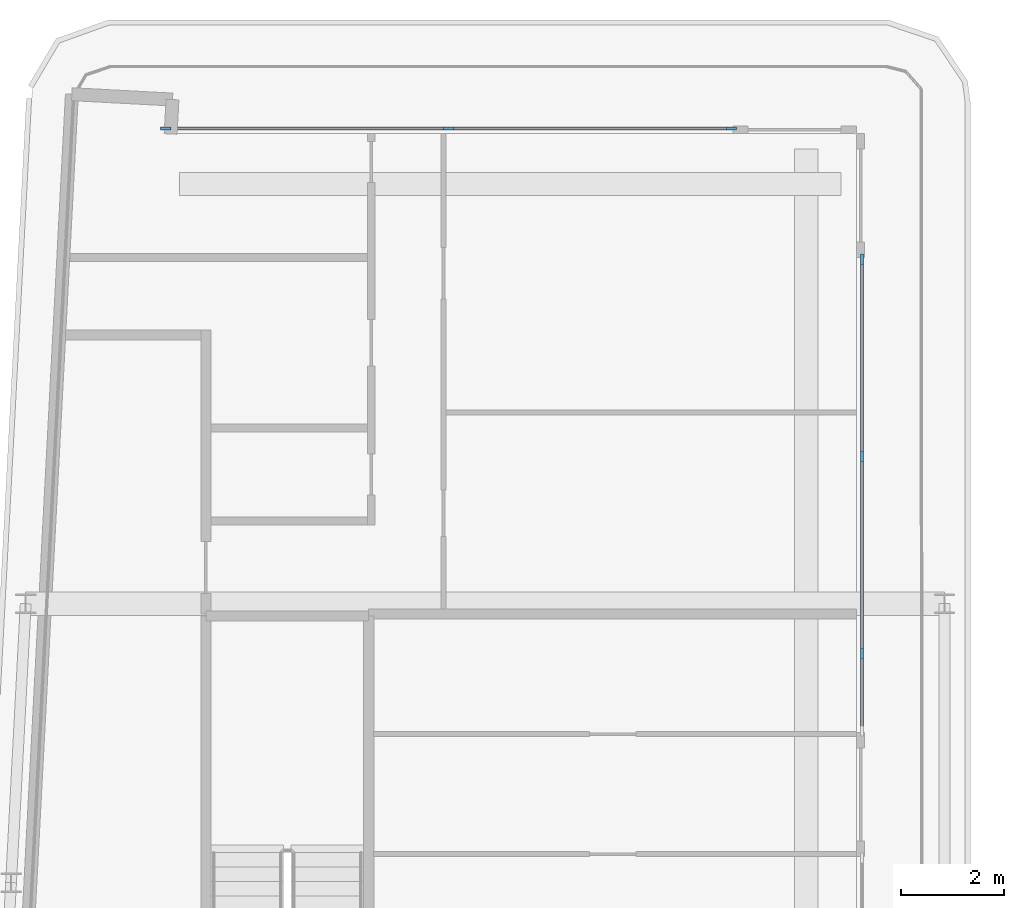
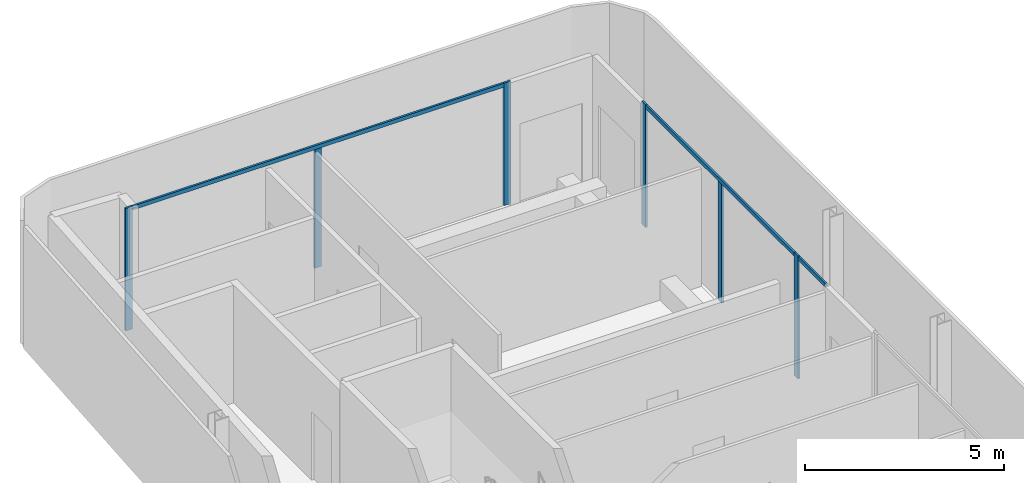
# One storey, part 8 of 21: 9 members, 3 elements without a shape of their own.
"""IFC4 building model written with IfcOpenShell, lengths in metres."""

import ifcopenshell
import ifcopenshell.guid

model = None  # the IFC model being written
_history = None  # IfcOwnerHistory: only IFC2X3 demands one
_inside = {}  # id of a spatial element -> (the spatial element, [elements in it])
_under = {}  # id of a project, library or spatial element -> (it, [spatial elements below it])
_declared = {}  # id of a project -> (the project, [libraries it declares])
_typed = {}  # id of a type object -> (the type object, [elements of that type])
_made_of = {}  # id of a material, layer set ... -> (it, [elements and type objects made of it])


def new_model(schema):
    """Start an empty IFC model of exactly this schema.

    Asked for "IFC4X3", IfcOpenShell would pick the latest addendum, in which some entities
    have other attributes; the version numbers below select the first issue.
    IFC2X3 requires an IfcOwnerHistory on every rooted entity: one is made here for all.
    """
    global model, _history
    if schema == "IFC4X3":
        model = ifcopenshell.file(schema_version=(4, 3, 0, 0))
    else:
        model = ifcopenshell.file(schema=schema)
    _inside.clear()
    _under.clear()
    _declared.clear()
    _typed.clear()
    _made_of.clear()
    _history = None
    if model.schema == "IFC2X3":
        org = make("IfcOrganization", Name="unknown")
        user = make(
            "IfcPersonAndOrganization",
            ThePerson=make("IfcPerson", FamilyName="unknown"),
            TheOrganization=org,
        )
        app = make(
            "IfcApplication",
            ApplicationDeveloper=org,
            Version="unknown",
            ApplicationFullName="unknown",
            ApplicationIdentifier="unknown",
        )
        _history = make(
            "IfcOwnerHistory",
            OwningUser=user,
            OwningApplication=app,
            ChangeAction="ADDED",
            CreationDate=0,
        )
    return model


def make(cls, **values):
    """One entity of the class cls with the attributes given. An attribute that is None is left unset."""
    return model.create_entity(
        cls, **{name: value for name, value in values.items() if value is not None}
    )


def rooted(cls, **values):
    """An entity with a GlobalId (a new one), such as an element, a storey or a relation."""
    return make(cls, GlobalId=ifcopenshell.guid.new(), OwnerHistory=_history, **values)


def si_unit(unit_type, name, prefix=None):
    """IfcSIUnit, for example si_unit("LENGTHUNIT", "METRE", prefix="MILLI")."""
    return make("IfcSIUnit", UnitType=unit_type, Prefix=prefix, Name=name)


def assignment(units):
    """IfcUnitAssignment: the units of a project."""
    return None if units is None else make("IfcUnitAssignment", Units=units)


def point(xyz):
    """IfcCartesianPoint."""
    return None if xyz is None else make("IfcCartesianPoint", Coordinates=xyz)


def direction(xyz):
    """IfcDirection."""
    return None if xyz is None else make("IfcDirection", DirectionRatios=xyz)


def frame(location, z_axis=None, x_axis=None):
    """IfcAxis2Placement3D, a coordinate frame: its origin and axes. An axis left out is left unset."""
    return make(
        "IfcAxis2Placement3D",
        Location=point(location),
        Axis=direction(z_axis),
        RefDirection=direction(x_axis),
    )


def frame_2d(location, x_axis=None):
    """IfcAxis2Placement2D, a coordinate frame in the plane: its origin and x axis."""
    return make(
        "IfcAxis2Placement2D", Location=point(location), RefDirection=direction(x_axis)
    )


def origin():
    """The frame at (0, 0, 0) with its axes left unset."""
    return frame((0.0, 0.0, 0.0))


def origin_2d():
    """The frame at (0, 0) in the plane with its x axis left unset."""
    return frame_2d((0.0, 0.0))


def place(relative_to, where):
    """IfcLocalPlacement: puts the frame where relative to a parent placement (None: the world)."""
    return make(
        "IfcLocalPlacement", PlacementRelTo=relative_to, RelativePlacement=where
    )


def context(
    kind, dimensions, precision=None, world=None, true_north=None, identifier=None
):
    """IfcGeometricRepresentationContext, for example the 3D "Model" context."""
    return make(
        "IfcGeometricRepresentationContext",
        ContextIdentifier=identifier,
        ContextType=kind,
        CoordinateSpaceDimension=dimensions,
        Precision=precision,
        WorldCoordinateSystem=world,
        TrueNorth=true_north,
    )


def subcontext(parent, identifier, kind, view, scale=None):
    """IfcGeometricRepresentationSubContext, for example "Body" below "Model"."""
    return make(
        "IfcGeometricRepresentationSubContext",
        ContextIdentifier=identifier,
        ContextType=kind,
        ParentContext=parent,
        TargetScale=scale,
        TargetView=view,
    )


def project(units=None, contexts=None):
    """IfcProject with its units and contexts."""
    return rooted(
        "IfcProject",
        Name="project",
        RepresentationContexts=contexts,
        UnitsInContext=assignment(units),
    )


def spatial(cls, under=None, at=None, **own):
    """A site, building, storey or space (cls), placed at a placement, below another one or the project."""
    s = rooted(cls, ObjectPlacement=at, **own)
    if under is not None:
        _under.setdefault(under.id(), (under, []))[1].append(s)
    return s


def profile(cls, at=None, kind="AREA", **sizes):
    """A parametric profile (cls). Its sizes go by their IFC names, for example OverallWidth=200.0."""
    return make(cls, ProfileType=kind, Position=at, **sizes)


def rectangle(**sizes):
    """IfcRectangleProfileDef."""
    return profile("IfcRectangleProfileDef", **sizes)


def extrude(swept, where, along, depth):
    """IfcExtrudedAreaSolid: the profile swept, set in the frame where, extruded along a direction by depth."""
    return make(
        "IfcExtrudedAreaSolid",
        SweptArea=swept,
        Position=where,
        ExtrudedDirection=direction(along),
        Depth=depth,
    )


def shape(context_of_items, identifier, shape_type, items):
    """IfcShapeRepresentation: the items that make up one representation, for example the "Body"."""
    return make(
        "IfcShapeRepresentation",
        ContextOfItems=context_of_items,
        RepresentationIdentifier=identifier,
        RepresentationType=shape_type,
        Items=items,
    )


def material(Name=None, Category=None):
    """IfcMaterial."""
    return make("IfcMaterial", Name=Name, Category=Category)


def layer(
    of_material, thickness, ventilated=None, Name=None, Category=None, Priority=None
):
    """IfcMaterialLayer: one layer of a wall or slab, of a material (None: an air gap)."""
    return make(
        "IfcMaterialLayer",
        Material=of_material,
        LayerThickness=thickness,
        IsVentilated=ventilated,
        Name=Name,
        Category=Category,
        Priority=Priority,
    )


def layer_set(layers, Name=None):
    """IfcMaterialLayerSet."""
    return make("IfcMaterialLayerSet", MaterialLayers=layers, LayerSetName=Name)


def material_profile(
    of_material, cross_section, Name=None, Category=None, Priority=None
):
    """IfcMaterialProfile: a cross section and its material."""
    return make(
        "IfcMaterialProfile",
        Name=Name,
        Material=of_material,
        Profile=cross_section,
        Priority=Priority,
        Category=Category,
    )


def profile_set(profiles, Name=None, composite=None):
    """IfcMaterialProfileSet."""
    return make(
        "IfcMaterialProfileSet",
        Name=Name,
        MaterialProfiles=profiles,
        CompositeProfile=composite,
    )


def made_of(thing, what):
    """Note that an element or type object is made of a material, layer set ...; save() writes the relation."""
    if what is not None:
        _made_of.setdefault(what.id(), (what, []))[1].append(thing)
    return thing


def type_object(cls, material=None, **own):
    """A type object (cls), such as IfcWallType, which elements share."""
    return made_of(rooted(cls, **own), material)


def element(
    cls,
    number,
    at=None,
    inside=None,
    cuts=None,
    type_object=None,
    material=None,
    context=None,
    identifier="Body",
    shape_type=None,
    held_by="IfcProductDefinitionShape",
    body=None,
    shapes=None,
    **own,
):
    """One element of the class cls, such as IfcWall. Its Tag is "e" and its number.

    at: its placement. inside: the storey or other place that contains it. cuts: it is an
    opening in that element (IfcRelVoidsElement). A single representation is given by context,
    identifier, shape_type and body (its items); several are given by shapes. held_by: the class
    of the entity that holds the representations. save() writes the other relations.
    """
    e = rooted(cls, Tag="e%d" % number, ObjectPlacement=at, **own)
    if body is not None:
        shapes = [shape(context, identifier, shape_type, body)]
    if shapes is not None:
        e.Representation = make(held_by, Representations=shapes)
    if inside is not None:
        _inside.setdefault(inside.id(), (inside, []))[1].append(e)
    if cuts is not None:
        rooted(
            "IfcRelVoidsElement", RelatingBuildingElement=cuts, RelatedOpeningElement=e
        )
    if type_object is not None:
        _typed.setdefault(type_object.id(), (type_object, []))[1].append(e)
    return made_of(e, material)


def aggregate(whole, parts):
    """IfcRelAggregates: a whole, such as a stair, and the parts it consists of."""
    return rooted("IfcRelAggregates", RelatingObject=whole, RelatedObjects=parts)


def save(model, path):
    """Write the relations noted so far, then the file.

    IfcRelAggregates (storeys below a building ...), IfcRelContainedInSpatialStructure (elements
    in a storey), IfcRelDefinesByType, IfcRelAssociatesMaterial and IfcRelDeclares: one each for
    every whole, place, type object, material and project.
    """
    for whole, parts in _under.values():
        aggregate(whole, parts)
    for where, things in _inside.values():
        rooted(
            "IfcRelContainedInSpatialStructure",
            RelatedElements=things,
            RelatingStructure=where,
        )
    for kind, things in _typed.values():
        rooted("IfcRelDefinesByType", RelatedObjects=things, RelatingType=kind)
    for what, things in _made_of.values():
        rooted("IfcRelAssociatesMaterial", RelatedObjects=things, RelatingMaterial=what)
    for by, libraries in _declared.values():
        rooted("IfcRelDeclares", RelatingContext=by, RelatedDefinitions=libraries)
    model.write(path)


model = new_model("IFC4")

# Units and contexts
model_context = context("Model", 3, precision=1e-05, world=origin(), true_north=direction((0.0, 1.0)))
body_context = subcontext(model_context, "Body", "Model", "MODEL_VIEW")
ifc_project = project(units=[si_unit("LENGTHUNIT", "METRE"), si_unit("AREAUNIT", "SQUARE_METRE"), si_unit("VOLUMEUNIT", "CUBIC_METRE"), si_unit("PLANEANGLEUNIT", "RADIAN"), si_unit("MASSUNIT", "GRAM", prefix="KILO")], contexts=[model_context])

# Site, building, storey
site_placement = place(None, origin())
site = spatial("IfcSite", under=ifc_project, at=site_placement, CompositionType="ELEMENT")
building_placement = place(site_placement, origin())
building = spatial("IfcBuilding", under=site, at=building_placement, Name="Kheshtan School and Residences Tower", CompositionType="ELEMENT")
storey_placement = place(building_placement, frame((0.0, 0.0, 282.5)))
storey = spatial("IfcBuildingStorey", under=building, at=storey_placement, Name="L66", CompositionType="ELEMENT", Elevation=282.5)

# Curtain wall, members
ifc_material_1 = material(Name="Clear low-e glass in thermally broken aluminium frame", Category="aluminium")
ifc_layer = layer(ifc_material_1, 0.199951171875)
ifc_layer_set = layer_set([ifc_layer], Name="Curtain wall CW-L")
curtain_wall_type = type_object("IfcCurtainWallType", Name="Curtain wall CW-L", PredefinedType="NOTDEFINED", material=ifc_layer_set)
curtain_wall_1_placement = place(storey_placement, origin())
curtain_wall_1 = element("IfcCurtainWall", 1, at=curtain_wall_1_placement, inside=storey, type_object=curtain_wall_type, Name="Curtain wall CWL7", PredefinedType="NOTDEFINED")
ifc_material_2 = material(Name="Thermally broken aluminium, dark bronze anodised", Category="aluminium")
ifc_material_profile_1 = material_profile(ifc_material_2, rectangle(XDim=0.06005859375, YDim=0.199951171875, at=origin_2d()), Name="CW-L mullion 60x200")
ifc_profile_set_1 = profile_set([ifc_material_profile_1], Name="Thermally broken aluminium, dark bronze anodised")
member_type_1 = type_object("IfcMemberType", Name="CW-L mullion 60x200", PredefinedType="MULLION", material=ifc_profile_set_1)
member_1_placement = place(storey_placement, frame((32.52197265625, 98.0, 0.0), z_axis=(0.0, 0.0, 1.0), x_axis=(0.0, 1.0, 0.0)))
member_1 = element("IfcMember", 2, at=member_1_placement, type_object=member_type_1, Name="CWL7 mullion 1", PredefinedType="MULLION", context=body_context, shape_type="SweptSolid", body=[
    extrude(rectangle(XDim=0.06005859375, YDim=0.199951171875, at=origin_2d()), origin(), (0.0, 0.0, 1.0), 3.75),
])
member_2_placement = place(storey_placement, frame((37.99609375, 98.0, 0.0), z_axis=(0.0, 0.0, 1.0), x_axis=(0.0, 1.0, 0.0)))
member_2 = element("IfcMember", 3, at=member_2_placement, type_object=member_type_1, Name="CWL7 mullion 2", PredefinedType="MULLION", context=body_context, shape_type="SweptSolid", body=[
    extrude(rectangle(XDim=0.06005859375, YDim=0.199951171875, at=origin_2d()), origin(), (0.0, 0.0, 1.0), 3.6298828125),
])
member_3_placement = place(storey_placement, frame((43.469970703125, 98.0, 0.0), z_axis=(0.0, 0.0, 1.0), x_axis=(0.0, 1.0, 0.0)))
member_3 = element("IfcMember", 4, at=member_3_placement, type_object=member_type_1, Name="CWL7 mullion 3", PredefinedType="MULLION", context=body_context, shape_type="SweptSolid", body=[
    extrude(rectangle(XDim=0.06005859375, YDim=0.199951171875, at=origin_2d()), origin(), (0.0, 0.0, 1.0), 3.75),
])

curtain_wall_2_placement = place(storey_placement, origin())
curtain_wall_2 = element("IfcCurtainWall", 5, at=curtain_wall_2_placement, inside=storey, type_object=curtain_wall_type, Name="Curtain wall CWL8", PredefinedType="NOTDEFINED")
member_4_placement = place(storey_placement, frame((46.0, 95.469970703125, 0.0), z_axis=(0.0, 0.0, 1.0), x_axis=(1.0, 0.0, 0.0)))
member_4 = element("IfcMember", 6, at=member_4_placement, type_object=member_type_1, Name="CWL8 mullion 1", PredefinedType="MULLION", context=body_context, shape_type="SweptSolid", body=[
    extrude(rectangle(XDim=0.06005859375, YDim=0.199951171875, at=origin_2d()), origin(), (0.0, 0.0, 1.0), 3.75),
])
member_5_placement = place(storey_placement, frame((46.0, 91.653076171875, 0.0), z_axis=(0.0, 0.0, 1.0), x_axis=(1.0, 0.0, 0.0)))
member_5 = element("IfcMember", 7, at=member_5_placement, type_object=member_type_1, Name="CWL8 mullion 2", PredefinedType="MULLION", context=body_context, shape_type="SweptSolid", body=[
    extrude(rectangle(XDim=0.06005859375, YDim=0.199951171875, at=origin_2d()), origin(), (0.0, 0.0, 1.0), 3.6298828125),
])
member_6_placement = place(storey_placement, frame((46.0, 87.8359375, 0.0), z_axis=(0.0, 0.0, 1.0), x_axis=(1.0, 0.0, 0.0)))
member_6 = element("IfcMember", 8, at=member_6_placement, type_object=member_type_1, Name="CWL8 mullion 3", PredefinedType="MULLION", context=body_context, shape_type="SweptSolid", body=[
    extrude(rectangle(XDim=0.06005859375, YDim=0.199951171875, at=origin_2d()), origin(), (0.0, 0.0, 1.0), 3.75),
])

# Member
ifc_material_profile_2 = material_profile(ifc_material_2, rectangle(XDim=0.06005859375, YDim=0.1201171875, at=origin_2d()), Name="CW-L transom 60x120")
ifc_profile_set_2 = profile_set([ifc_material_profile_2], Name="Thermally broken aluminium, dark bronze anodised")
member_type_2 = type_object("IfcMemberType", Name="CW-L transom 60x120", PredefinedType="USERDEFINED", material=ifc_profile_set_2)
member_7_placement = place(storey_placement, frame((32.552001953125, 98.0, 3.68994140625), z_axis=(1.0, 0.0, 0.0), x_axis=(0.0, 1.0, 0.0)))
member_7 = element("IfcMember", 9, at=member_7_placement, type_object=member_type_2, Name="CWL7 transom 1", ObjectType="TRANSOM", PredefinedType="USERDEFINED", context=body_context, shape_type="SweptSolid", body=[
    extrude(rectangle(XDim=0.06005859375, YDim=0.1201171875, at=origin_2d()), origin(), (0.0, 0.0, 1.0), 10.887939453125),
])

aggregate(curtain_wall_1, [member_1, member_2, member_3, member_7])

member_8_placement = place(storey_placement, frame((46.0, 95.43994140625, 3.68994140625), z_axis=(0.0, -1.0, 0.0), x_axis=(1.0, 0.0, 0.0)))
member_8 = element("IfcMember", 10, at=member_8_placement, type_object=member_type_2, Name="CWL8 transom 1", ObjectType="TRANSOM", PredefinedType="USERDEFINED", context=body_context, shape_type="SweptSolid", body=[
    extrude(rectangle(XDim=0.06005859375, YDim=0.1201171875, at=origin_2d()), origin(), (0.0, 0.0, 1.0), 7.573974609375),
])

aggregate(curtain_wall_2, [member_4, member_5, member_6, member_8])

# Curtain wall, member
curtain_wall_3_placement = place(storey_placement, origin())
curtain_wall_3 = element("IfcCurtainWall", 11, at=curtain_wall_3_placement, inside=storey, type_object=curtain_wall_type, Name="Curtain wall CWL8a", PredefinedType="NOTDEFINED")
member_9_placement = place(storey_placement, frame((46.0, 87.805908203125, 3.68994140625), z_axis=(0.0, -1.0, 0.0), x_axis=(1.0, 0.0, 0.0)))
member_9 = element("IfcMember", 12, at=member_9_placement, type_object=member_type_2, Name="CWL8a transom 1", ObjectType="TRANSOM", PredefinedType="USERDEFINED", context=body_context, shape_type="SweptSolid", body=[
    extrude(rectangle(XDim=0.06005859375, YDim=0.1201171875, at=origin_2d()), origin(), (0.0, 0.0, 1.0), 1.43994140625),
])
aggregate(curtain_wall_3, [member_9])

save(model, "model.ifc")
